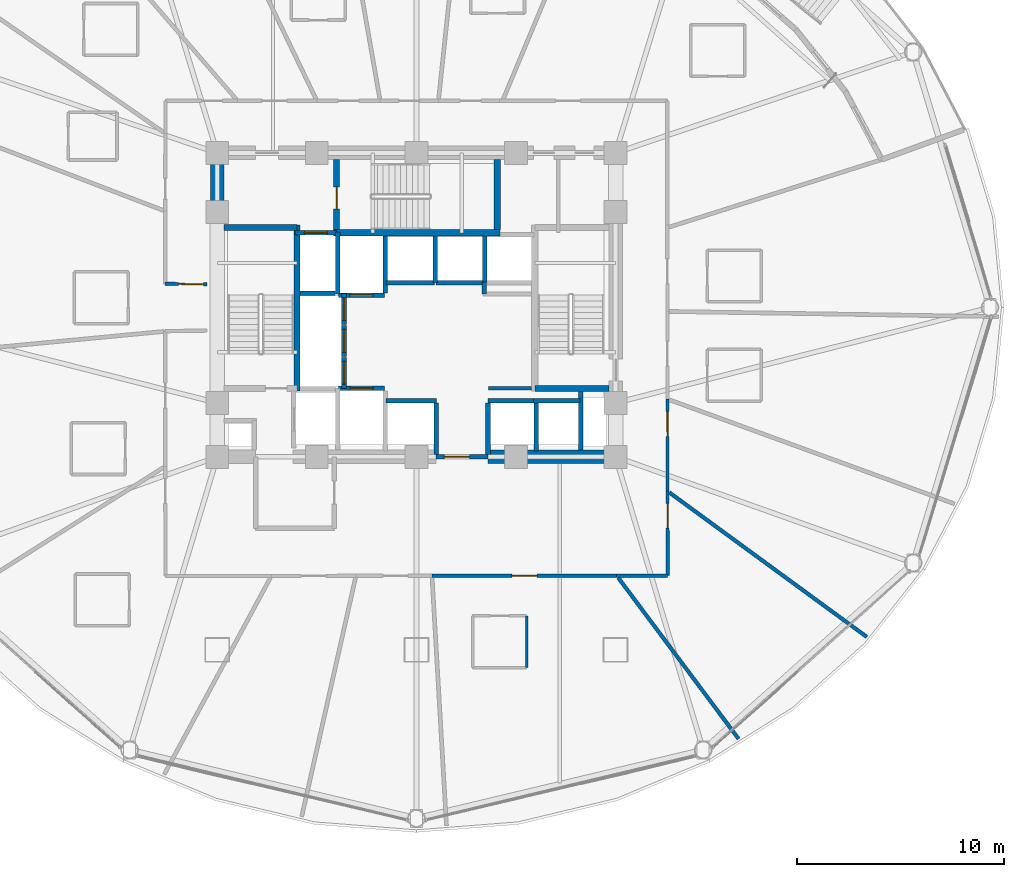
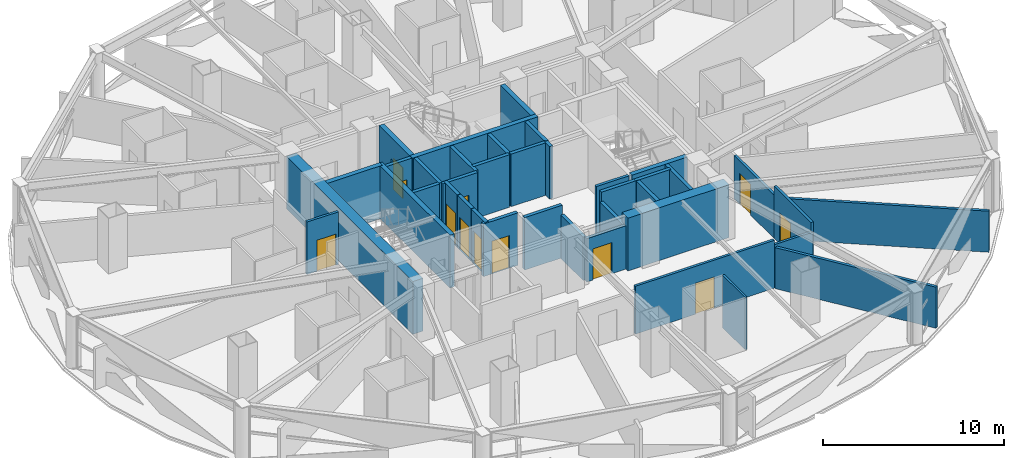
# One storey, part 25 of 33: 39 walls, 12 doors, 12 openings.
"""IFC4 building model written with IfcOpenShell, lengths in metres."""

from ifc_helpers import new_model, si_unit, direction, frame, frame_2d, origin, place, context, subcontext, project, spatial, rectangle, extrude, material, layer, layer_set, type_object, element, fill, save


model = new_model("IFC4")

# Units and contexts
model_context = context("Model", 3, precision=1e-05, world=origin(), true_north=direction((0.0, 1.0)))
body_context = subcontext(model_context, "Body", "Model", "MODEL_VIEW")
ifc_project = project(units=[si_unit("LENGTHUNIT", "METRE"), si_unit("AREAUNIT", "SQUARE_METRE"), si_unit("VOLUMEUNIT", "CUBIC_METRE"), si_unit("PLANEANGLEUNIT", "RADIAN"), si_unit("MASSUNIT", "GRAM", prefix="KILO")], contexts=[model_context])

# Site, building, storey
site_placement = place(None, origin())
site = spatial("IfcSite", under=ifc_project, at=site_placement, CompositionType="ELEMENT")
building_placement = place(site_placement, origin())
building = spatial("IfcBuilding", under=site, at=building_placement, Name="Vantalir Tower", CompositionType="ELEMENT")
storey_placement = place(building_placement, frame((0.0, 0.0, 68.25)))
storey = spatial("IfcBuildingStorey", under=building, at=storey_placement, Name="L16", CompositionType="ELEMENT", Elevation=68.25)

# Walls
ifc_material_1 = material(Name="Moisture-resistant en-suite partition", Category="gypsum")
ifc_layer_1 = layer(ifc_material_1, 0.125)
ifc_layer_set_1 = layer_set([ifc_layer_1], Name="Moisture-resistant en-suite partition")
wall_type_1 = type_object("IfcWallType", Name="WL-BATH-125", PredefinedType="PARTITIONING", material=ifc_layer_set_1)
wall_1_placement = place(storey_placement, frame((36.81591796875, 7.635009765625, 0.0), z_axis=(0.0, 0.0, 1.0), x_axis=(0.0, 1.0, 0.0)))
element("IfcWall", 1, at=wall_1_placement, inside=storey, type_object=wall_type_1, Name="L16 En-suite 13 East Wall", PredefinedType="PARTITIONING", context=body_context, shape_type="SweptSolid", body=[
    extrude(rectangle(XDim=2.5, YDim=0.125, at=frame_2d((1.25, 0.0))), origin(), (0.0, 0.0, 1.0), 3.550048828125),
])
ifc_material_2 = material(Name="Concrete C60/75", Category="concrete")
ifc_layer_2 = layer(ifc_material_2, 0.64990234375)
ifc_layer_set_2 = layer_set([ifc_layer_2], Name="Concrete C60/75")
wall_type_2 = type_object("IfcWallType", Name="WL-CORE-650", PredefinedType="SHEAR", material=ifc_layer_set_2)
wall_2_placement = place(storey_placement, frame((34.949951171875, 17.800048828125, 0.0), z_axis=(0.0, 0.0, 1.0), x_axis=(1.0, 0.0, 0.0)))
element("IfcWall", 2, at=wall_2_placement, inside=storey, type_object=wall_type_2, Name="L16 Core Shear Wall South-East", PredefinedType="SHEAR", context=body_context, shape_type="SweptSolid", body=[
    extrude(rectangle(XDim=6.47509765625, YDim=0.64990234375, at=frame_2d((3.237548828125, 0.0))), origin(), (0.0, 0.0, 1.0), 3.570068359375),
])
wall_3_placement = place(storey_placement, frame((21.89990234375, 18.125, 0.0), z_axis=(0.0, 0.0, 1.0), x_axis=(0.0, 1.0, 0.0)))
element("IfcWall", 3, at=wall_3_placement, inside=storey, type_object=wall_type_2, Name="L16 Core Shear Wall West", PredefinedType="SHEAR", context=body_context, shape_type="SweptSolid", body=[
    extrude(rectangle(XDim=14.0, YDim=0.64990234375, at=frame_2d((7.0, 0.0))), origin(), (0.0, 0.0, 1.0), 3.570068359375),
])

# Wall, opening, door
ifc_material_3 = material(Name="Fire-rated hotel corridor acoustic partition", Category="gypsum")
ifc_layer_3 = layer(ifc_material_3, 0.159912109375)
ifc_layer_set_3 = layer_set([ifc_layer_3], Name="Fire-rated hotel corridor acoustic partition")
wall_type_3 = type_object("IfcWallType", Name="WL-CORR-160", PredefinedType="PARTITIONING", material=ifc_layer_set_3)
wall_4_placement = place(storey_placement, frame((21.39501953125, 26.117919921875, 0.0), z_axis=(0.0, 0.0, 1.0), x_axis=(-0.999927639905, 0.012029752868, 0.0)))
wall_4 = element("IfcWall", 4, at=wall_4_placement, inside=storey, type_object=wall_type_3, Name="L16 Corridor Partition 01", PredefinedType="PARTITIONING", context=body_context, shape_type="SweptSolid", body=[
    extrude(rectangle(XDim=2.00927734375, YDim=0.159912109375, at=frame_2d((1.004638671875, 0.0))), origin(), (0.0, 0.0, 1.0), 3.550048828125),
])
opening_1_placement = place(wall_4_placement, frame((0.159912109375, 0.0, 0.0)))
opening_1 = element("IfcOpeningElement", 5, at=opening_1_placement, cuts=wall_4, Name="Opening D-STE", PredefinedType="OPENING", context=body_context, shape_type="SweptSolid", body=[
    extrude(rectangle(XDim=1.199951171875, YDim=2.10009765625, at=frame_2d((0.60009765625, 1.050048828125))), frame((0.0, 0.08984375, 0.0), z_axis=(0.0, -1.0, 0.0), x_axis=(1.0, 0.0, 0.0)), (0.0, 0.0, 1.0), 0.179931640625),
])
ifc_material_4 = material(Name="Solid-core teak veneer suite entrance door", Category="wood")
door_type_1 = type_object("IfcDoorType", Name="DR-SUITE-ENTRY-1200", OperationType="NOTDEFINED", PredefinedType="DOOR", material=ifc_material_4)
door_1_placement = place(opening_1_placement, origin())
door_1 = element("IfcDoor", 6, at=door_1_placement, inside=storey, type_object=door_type_1, Name="L16 Executive Club Hotel Suite 08 Door", OperationType="SINGLE_SWING_LEFT", OverallHeight=2.10009765625, OverallWidth=1.199951171875, PredefinedType="DOOR", context=body_context, shape_type="SweptSolid", body=[
    extrude(rectangle(XDim=1.199951171875, YDim=2.10009765625, at=frame_2d((0.60009765625, 1.050048828125))), frame((0.0, 0.02490234375, 0.0), z_axis=(0.0, -1.0, 0.0), x_axis=(1.0, 0.0, 0.0)), (0.0, 0.0, 1.0), 0.050048828125),
])
fill(opening_1, door_1)

wall_5_placement = place(storey_placement, frame((43.60400390625, 20.5830078125, 0.0), z_axis=(0.0, 0.0, 1.0), x_axis=(0.000660138485, -0.999999782109, 0.0)))
wall_5 = element("IfcWall", 7, at=wall_5_placement, inside=storey, type_object=wall_type_3, Name="L16 Corridor Partition 14", PredefinedType="PARTITIONING", context=body_context, shape_type="SweptSolid", body=[
    extrude(rectangle(XDim=4.43798828125, YDim=0.159912109375, at=frame_2d((2.218994140625, 0.0))), origin(), (0.0, 0.0, 1.0), 2.927978515625),
])
opening_2_placement = place(wall_5_placement, frame((0.597900390625, 0.0, 0.0)))
opening_2 = element("IfcOpeningElement", 8, at=opening_2_placement, cuts=wall_5, Name="Opening D-STE", PredefinedType="OPENING", context=body_context, shape_type="SweptSolid", body=[
    extrude(rectangle(XDim=1.199951171875, YDim=2.10009765625, at=frame_2d((0.60009765625, 1.050048828125))), frame((0.0, 0.08984375, 0.0), z_axis=(0.0, -1.0, 0.0), x_axis=(1.0, 0.0, 0.0)), (0.0, 0.0, 1.0), 0.179931640625),
])
door_2_placement = place(opening_2_placement, origin())
door_2 = element("IfcDoor", 9, at=door_2_placement, inside=storey, type_object=door_type_1, Name="L16 Executive Sky Boardroom 15 Door", OperationType="SINGLE_SWING_RIGHT", OverallHeight=2.10009765625, OverallWidth=1.199951171875, PredefinedType="DOOR", context=body_context, shape_type="SweptSolid", body=[
    extrude(rectangle(XDim=1.199951171875, YDim=2.10009765625, at=frame_2d((0.60009765625, 1.050048828125))), frame((0.0, 0.02490234375, 0.0), z_axis=(0.0, -1.0, 0.0), x_axis=(1.0, 0.0, 0.0)), (0.0, 0.0, 1.0), 0.050048828125),
])
fill(opening_2, door_2)

wall_6_placement = place(storey_placement, frame((43.60693359375, 16.14501953125, 0.0), z_axis=(0.0, 0.0, 1.0), x_axis=(0.000779049323, -0.999999696541, 0.0)))
wall_6 = element("IfcWall", 10, at=wall_6_placement, inside=storey, type_object=wall_type_3, Name="L16 Corridor Partition 15", PredefinedType="PARTITIONING", context=body_context, shape_type="SweptSolid", body=[
    extrude(rectangle(XDim=4.073974609375, YDim=0.159912109375, at=frame_2d((2.037109375, 0.0))), origin(), (0.0, 0.0, 1.0), 3.550048828125),
])
opening_3_placement = place(wall_6_placement, frame((0.5859375, 0.0, 0.0)))
opening_3 = element("IfcOpeningElement", 11, at=opening_3_placement, cuts=wall_6, Name="Opening D-STE", PredefinedType="OPENING", context=body_context, shape_type="SweptSolid", body=[
    extrude(rectangle(XDim=1.199951171875, YDim=2.10009765625, at=frame_2d((0.60009765625, 1.050048828125))), frame((0.0, 0.08984375, 0.0), z_axis=(0.0, -1.0, 0.0), x_axis=(1.0, 0.0, 0.0)), (0.0, 0.0, 1.0), 0.179931640625),
])
door_3_placement = place(opening_3_placement, origin())
door_3 = element("IfcDoor", 12, at=door_3_placement, inside=storey, type_object=door_type_1, Name="L16 Club Reading Lounge 14 Door", OperationType="SINGLE_SWING_LEFT", OverallHeight=2.10009765625, OverallWidth=1.199951171875, PredefinedType="DOOR", context=body_context, shape_type="SweptSolid", body=[
    extrude(rectangle(XDim=1.199951171875, YDim=2.10009765625, at=frame_2d((0.60009765625, 1.050048828125))), frame((0.0, 0.02490234375, 0.0), z_axis=(0.0, -1.0, 0.0), x_axis=(1.0, 0.0, 0.0)), (0.0, 0.0, 1.0), 0.050048828125),
])
fill(opening_3, door_3)

# Wall
wall_7_placement = place(storey_placement, frame((43.610107421875, 12.071044921875, 0.0), z_axis=(0.0, 0.0, 1.0), x_axis=(-0.99999968305, -0.000796178092, 0.0)))
element("IfcWall", 13, at=wall_7_placement, inside=storey, type_object=wall_type_3, Name="L16 Corridor Partition 16", PredefinedType="PARTITIONING", context=body_context, shape_type="SweptSolid", body=[
    extrude(rectangle(XDim=2.453125, YDim=0.159912109375, at=frame_2d((1.2265625, 0.0))), origin(), (0.0, 0.0, 1.0), 2.927978515625),
])

# Wall, opening, door
wall_8_placement = place(storey_placement, frame((41.156982421875, 12.069091796875, 0.0), z_axis=(0.0, 0.0, 1.0), x_axis=(-0.999999765164, -0.000685325643, 0.0)))
wall_8 = element("IfcWall", 14, at=wall_8_placement, inside=storey, type_object=wall_type_3, Name="L16 Corridor Partition 17", PredefinedType="PARTITIONING", context=body_context, shape_type="SweptSolid", body=[
    extrude(rectangle(XDim=8.906005859375, YDim=0.159912109375, at=frame_2d((4.453125, 0.0))), origin(), (0.0, 0.0, 1.0), 3.238037109375),
])
opening_4_placement = place(wall_8_placement, frame((3.85302734375, 0.0, 0.0)))
opening_4 = element("IfcOpeningElement", 15, at=opening_4_placement, cuts=wall_8, Name="Opening D-STE", PredefinedType="OPENING", context=body_context, shape_type="SweptSolid", body=[
    extrude(rectangle(XDim=1.199951171875, YDim=2.10009765625, at=frame_2d((0.60009765625, 1.050048828125))), frame((0.0, 0.08984375, 0.0), z_axis=(0.0, -1.0, 0.0), x_axis=(1.0, 0.0, 0.0)), (0.0, 0.0, 1.0), 0.179931640625),
])
door_4_placement = place(opening_4_placement, origin())
door_4 = element("IfcDoor", 16, at=door_4_placement, inside=storey, type_object=door_type_1, Name="L16 Executive Club Hotel Suite 13 Door", OperationType="SINGLE_SWING_RIGHT", OverallHeight=2.10009765625, OverallWidth=1.199951171875, PredefinedType="DOOR", context=body_context, shape_type="SweptSolid", body=[
    extrude(rectangle(XDim=1.199951171875, YDim=2.10009765625, at=frame_2d((0.60009765625, 1.050048828125))), frame((0.0, 0.02490234375, 0.0), z_axis=(0.0, -1.0, 0.0), x_axis=(1.0, 0.0, 0.0)), (0.0, 0.0, 1.0), 0.050048828125),
])
fill(opening_4, door_4)

# Walls
ifc_material_5 = material(Name="Concrete blockwork with fireboard lining", Category="masonry")
ifc_layer_4 = layer(ifc_material_5, 0.219970703125)
ifc_layer_set_4 = layer_set([ifc_layer_4], Name="Concrete blockwork with fireboard lining")
wall_type_4 = type_object("IfcWallType", Name="WL-FFL-220", PredefinedType="PARTITIONING", material=ifc_layer_set_4)
for number, where, z_axis, x_axis, name in (
    (17, (32.449951171875, 17.919921875, 0.0), (0.0, 0.0, 1.0), (0.0, 1.0, 0.0), "L16 Shuttle Lift PL-X1 East Shaft Cheek"),
    (18, (34.949951171875, 17.919921875, 0.0), (0.0, 0.0, 1.0), (0.0, 1.0, 0.0), "L16 Shuttle Lift PL-X3 West Shaft Cheek"),
):
    element("IfcWall", number, at=place(storey_placement, frame(where, z_axis=z_axis, x_axis=x_axis)), inside=storey, type_object=wall_type_4, Name=name, PredefinedType="PARTITIONING", context=body_context, shape_type="SweptSolid", body=[
        extrude(rectangle(XDim=2.469970703125, YDim=0.219970703125, at=frame_2d((1.23486328125, 0.0))), origin(), (0.0, 0.0, 1.0), 2.927978515625),
    ])
wall_9_placement = place(storey_placement, frame((37.27490234375, 18.080078125, 0.0), z_axis=(0.0, 0.0, 1.0), x_axis=(0.0, 1.0, 0.0)))
element("IfcWall", 19, at=wall_9_placement, inside=storey, type_object=wall_type_4, Name="L16 Shuttle Lift PL-X2/X3 Shaft Divider", PredefinedType="PARTITIONING", context=body_context, shape_type="SweptSolid", body=[
    extrude(rectangle(XDim=2.309814453125, YDim=0.219970703125, at=frame_2d((1.15478515625, 0.0))), origin(), (0.0, 0.0, 1.0), 3.544921875),
])
wall_10_placement = place(storey_placement, frame((30.0, 25.7099609375, 0.0), z_axis=(0.0, 0.0, 1.0), x_axis=(0.0, 1.0, 0.0)))
element("IfcWall", 20, at=wall_10_placement, inside=storey, type_object=wall_type_4, Name="L16 Service Lift SV2 East Shaft Wall", PredefinedType="PARTITIONING", context=body_context, shape_type="SweptSolid", body=[
    extrude(rectangle(XDim=2.72998046875, YDim=0.219970703125, at=frame_2d((1.364990234375, 0.0))), origin(), (0.0, 0.0, 1.0), 3.544921875),
])
wall_11_placement = place(storey_placement, frame((32.39990234375, 26.199951171875, 0.0), z_axis=(0.0, 0.0, 1.0), x_axis=(0.0, 1.0, 0.0)))
element("IfcWall", 21, at=wall_11_placement, inside=storey, type_object=wall_type_4, Name="L16 High-Rise Lift PL-H1/H2 Shaft Divider", PredefinedType="PARTITIONING", context=body_context, shape_type="SweptSolid", body=[
    extrude(rectangle(XDim=2.239990234375, YDim=0.219970703125, at=frame_2d((1.1201171875, 0.0))), origin(), (0.0, 0.0, 1.0), 3.544921875),
])
wall_12_placement = place(storey_placement, frame((34.800048828125, 26.22998046875, 0.0), z_axis=(0.0, 0.0, 1.0), x_axis=(0.0, 1.0, 0.0)))
element("IfcWall", 22, at=wall_12_placement, inside=storey, type_object=wall_type_4, Name="L16 High-Rise Lift PL-H2/H3 Shaft Divider", PredefinedType="PARTITIONING", context=body_context, shape_type="SweptSolid", body=[
    extrude(rectangle(XDim=2.2099609375, YDim=0.219970703125, at=frame_2d((1.10498046875, 0.0))), origin(), (0.0, 0.0, 1.0), 3.544921875),
])

# Wall, opening, door
wall_13_placement = place(storey_placement, frame((32.449951171875, 17.800048828125, 0.0), z_axis=(0.0, 0.0, 1.0), x_axis=(1.0, 0.0, 0.0)))
wall_13 = element("IfcWall", 23, at=wall_13_placement, inside=storey, type_object=wall_type_4, Name="L16 Passenger Lift Lobby South Wall", PredefinedType="PARTITIONING", context=body_context, shape_type="SweptSolid", body=[
    extrude(rectangle(XDim=2.5, YDim=0.219970703125, at=frame_2d((1.25, 0.0))), origin(), (0.0, 0.0, 1.0), 2.927978515625),
])
opening_5_placement = place(wall_13_placement, frame((0.39990234375, 0.0, 0.0)))
opening_5 = element("IfcOpeningElement", 24, at=opening_5_placement, cuts=wall_13, Name="Opening D-STE", PredefinedType="OPENING", context=body_context, shape_type="SweptSolid", body=[
    extrude(rectangle(XDim=1.199951171875, YDim=2.10009765625, at=frame_2d((0.60009765625, 1.050048828125))), frame((0.0, 0.119873046875, 0.0), z_axis=(0.0, -1.0, 0.0), x_axis=(1.0, 0.0, 0.0)), (0.0, 0.0, 1.0), 0.239990234375),
])
door_5_placement = place(opening_5_placement, origin())
door_5 = element("IfcDoor", 25, at=door_5_placement, inside=storey, type_object=door_type_1, Name="L16 Passenger Lift Lobby Concourse Door", OperationType="SINGLE_SWING_LEFT", OverallHeight=2.10009765625, OverallWidth=1.199951171875, PredefinedType="DOOR", context=body_context, shape_type="SweptSolid", body=[
    extrude(rectangle(XDim=1.199951171875, YDim=2.10009765625, at=frame_2d((0.60009765625, 1.050048828125))), frame((0.0, 0.02490234375, 0.0), z_axis=(0.0, -1.0, 0.0), x_axis=(1.0, 0.0, 0.0)), (0.0, 0.0, 1.0), 0.050048828125),
])
fill(opening_5, door_5)

# Wall
wall_14_placement = place(storey_placement, frame((39.419921875, 18.125, 0.0), z_axis=(0.0, 0.0, 1.0), x_axis=(0.0, 1.0, 0.0)))
element("IfcWall", 26, at=wall_14_placement, inside=storey, type_object=wall_type_4, Name="L16 East MEP Riser Wall W", PredefinedType="PARTITIONING", context=body_context, shape_type="SweptSolid", body=[
    extrude(rectangle(XDim=2.824951171875, YDim=0.219970703125, at=frame_2d((1.41259765625, 0.0))), origin(), (0.0, 0.0, 1.0), 3.550048828125),
])

# Wall, opening, door
wall_15_placement = place(storey_placement, frame((25.639892578125, 28.610107421875, 0.0), z_axis=(0.0, 0.0, 1.0), x_axis=(1.0, 0.0, 0.0)))
wall_15 = element("IfcWall", 27, at=wall_15_placement, inside=storey, type_object=wall_type_4, Name="L16 Lift FL2 Shaft Front Wall", PredefinedType="PARTITIONING", context=body_context, shape_type="SweptSolid", body=[
    extrude(rectangle(XDim=2.02001953125, YDim=0.219970703125, at=frame_2d((1.010009765625, 0.0))), origin(), (0.0, 0.0, 1.0), 3.550048828125),
])
opening_6_placement = place(wall_15_placement, frame((0.4599609375, 0.0, 0.0)))
opening_6 = element("IfcOpeningElement", 28, at=opening_6_placement, cuts=wall_15, Name="Opening LD-FL2", PredefinedType="OPENING", context=body_context, shape_type="SweptSolid", body=[
    extrude(rectangle(XDim=1.10009765625, YDim=2.199951171875, at=frame_2d((0.550048828125, 1.10009765625))), frame((0.0, 0.119873046875, 0.0), z_axis=(0.0, -1.0, 0.0), x_axis=(1.0, 0.0, 0.0)), (0.0, 0.0, 1.0), 0.239990234375),
])
ifc_material_6 = material(Name="Brushed stainless-steel sliding lift landing door", Category="steel")
door_type_2 = type_object("IfcDoorType", Name="DR-LIFT-LANDING-1100", OperationType="DOUBLE_DOOR_SLIDING", PredefinedType="DOOR", material=ifc_material_6)
door_6_placement = place(opening_6_placement, origin())
door_6 = element("IfcDoor", 29, at=door_6_placement, inside=storey, type_object=door_type_2, Name="L16 Lift Landing Door FL2", OperationType="DOUBLE_DOOR_SLIDING", OverallHeight=2.199951171875, OverallWidth=1.10009765625, PredefinedType="DOOR", context=body_context, shape_type="SweptSolid", body=[
    extrude(rectangle(XDim=1.10009765625, YDim=2.199951171875, at=frame_2d((0.550048828125, 1.10009765625))), frame((0.0, 0.02490234375, 0.0), z_axis=(0.0, -1.0, 0.0), x_axis=(1.0, 0.0, 0.0)), (0.0, 0.0, 1.0), 0.050048828125),
])
fill(opening_6, door_6)

wall_16_placement = place(storey_placement, frame((27.739990234375, 21.110107421875, 0.0), z_axis=(0.0, 0.0, 1.0), x_axis=(1.0, 0.0, 0.0)))
wall_16 = element("IfcWall", 30, at=wall_16_placement, inside=storey, type_object=wall_type_4, Name="L16 Lift SV1 Shaft Front Wall", PredefinedType="PARTITIONING", context=body_context, shape_type="SweptSolid", body=[
    extrude(rectangle(XDim=2.219970703125, YDim=0.219970703125, at=frame_2d((1.10986328125, 0.0))), origin(), (0.0, 0.0, 1.0), 3.550048828125),
])
opening_7_placement = place(wall_16_placement, frame((0.56005859375, 0.0, 0.0)))
opening_7 = element("IfcOpeningElement", 31, at=opening_7_placement, cuts=wall_16, Name="Opening LD-SV1", PredefinedType="OPENING", context=body_context, shape_type="SweptSolid", body=[
    extrude(rectangle(XDim=1.10009765625, YDim=2.199951171875, at=frame_2d((0.550048828125, 1.10009765625))), frame((0.0, 0.119873046875, 0.0), z_axis=(0.0, -1.0, 0.0), x_axis=(1.0, 0.0, 0.0)), (0.0, 0.0, 1.0), 0.239990234375),
])
door_7_placement = place(opening_7_placement, origin())
door_7 = element("IfcDoor", 32, at=door_7_placement, inside=storey, type_object=door_type_2, Name="L16 Lift Landing Door SV1", OperationType="DOUBLE_DOOR_SLIDING", OverallHeight=2.199951171875, OverallWidth=1.10009765625, PredefinedType="DOOR", context=body_context, shape_type="SweptSolid", body=[
    extrude(rectangle(XDim=1.10009765625, YDim=2.199951171875, at=frame_2d((0.550048828125, 1.10009765625))), frame((0.0, 0.02490234375, 0.0), z_axis=(0.0, -1.0, 0.0), x_axis=(1.0, 0.0, 0.0)), (0.0, 0.0, 1.0), 0.050048828125),
])
fill(opening_7, door_7)

wall_17_placement = place(storey_placement, frame((27.739990234375, 25.590087890625, 0.0), z_axis=(0.0, 0.0, 1.0), x_axis=(1.0, 0.0, 0.0)))
wall_17 = element("IfcWall", 33, at=wall_17_placement, inside=storey, type_object=wall_type_4, Name="L16 Lift SV2 Shaft Front Wall", PredefinedType="PARTITIONING", context=body_context, shape_type="SweptSolid", body=[
    extrude(rectangle(XDim=2.219970703125, YDim=0.219970703125, at=frame_2d((1.10986328125, 0.0))), origin(), (0.0, 0.0, 1.0), 3.550048828125),
])
opening_8_placement = place(wall_17_placement, frame((0.56005859375, 0.0, 0.0)))
opening_8 = element("IfcOpeningElement", 34, at=opening_8_placement, cuts=wall_17, Name="Opening LD-SV2", PredefinedType="OPENING", context=body_context, shape_type="SweptSolid", body=[
    extrude(rectangle(XDim=1.10009765625, YDim=2.199951171875, at=frame_2d((0.550048828125, 1.10009765625))), frame((0.0, 0.119873046875, 0.0), z_axis=(0.0, -1.0, 0.0), x_axis=(1.0, 0.0, 0.0)), (0.0, 0.0, 1.0), 0.239990234375),
])
door_8_placement = place(opening_8_placement, frame((1.10009765625, 0.0, 0.0), z_axis=(0.0, 0.0, 1.0), x_axis=(-1.0, 0.0, 0.0)))
door_8 = element("IfcDoor", 35, at=door_8_placement, inside=storey, type_object=door_type_2, Name="L16 Lift Landing Door SV2", OperationType="DOUBLE_DOOR_SLIDING", OverallHeight=2.199951171875, OverallWidth=1.10009765625, PredefinedType="DOOR", context=body_context, shape_type="SweptSolid", body=[
    extrude(rectangle(XDim=1.10009765625, YDim=2.199951171875, at=frame_2d((0.550048828125, 1.10009765625))), frame((0.0, 0.02490234375, 0.0), z_axis=(0.0, -1.0, 0.0), x_axis=(1.0, 0.0, 0.0)), (0.0, 0.0, 1.0), 0.050048828125),
])
fill(opening_8, door_8)

# Walls
wall_18_placement = place(storey_placement, frame((30.0400390625, 20.510009765625, 0.0), z_axis=(0.0, 0.0, 1.0), x_axis=(1.0, 0.0, 0.0)))
element("IfcWall", 36, at=wall_18_placement, inside=storey, type_object=wall_type_4, Name="L16 Lift PL-X1 Shaft Front Wall", PredefinedType="PARTITIONING", context=body_context, shape_type="SweptSolid", body=[
    extrude(rectangle(XDim=2.419921875, YDim=0.219970703125, at=frame_2d((1.2099609375, 0.0))), origin(), (0.0, 0.0, 1.0), 3.550048828125),
])
for number, where, z_axis, x_axis, name in (
    (37, (37.139892578125, 20.510009765625, 0.0), (0.0, 0.0, 1.0), (1.0, 0.0, 0.0), "L16 Lift PL-X2 Shaft Rear Wall"),
    (38, (34.93994140625, 20.510009765625, 0.0), (0.0, 0.0, 1.0), (1.0, 0.0, 0.0), "L16 Lift PL-X3 Shaft Front Wall"),
):
    element("IfcWall", number, at=place(storey_placement, frame(where, z_axis=z_axis, x_axis=x_axis)), inside=storey, type_object=wall_type_4, Name=name, PredefinedType="PARTITIONING", context=body_context, shape_type="SweptSolid", body=[
        extrude(rectangle(XDim=2.239990234375, YDim=0.219970703125, at=frame_2d((1.1201171875, 0.0))), origin(), (0.0, 0.0, 1.0), 3.550048828125),
    ])
for number, where, z_axis, x_axis, name in (
    (39, (30.0400390625, 26.18994140625, 0.0), (0.0, 0.0, 1.0), (1.0, 0.0, 0.0), "L16 Lift PL-H1 Shaft Front Wall"),
    (40, (32.43994140625, 26.18994140625, 0.0), (0.0, 0.0, 1.0), (1.0, 0.0, 0.0), "L16 Lift PL-H2 Shaft Front Wall"),
):
    element("IfcWall", number, at=place(storey_placement, frame(where, z_axis=z_axis, x_axis=x_axis)), inside=storey, type_object=wall_type_4, Name=name, PredefinedType="PARTITIONING", context=body_context, shape_type="SweptSolid", body=[
        extrude(rectangle(XDim=2.320068359375, YDim=0.219970703125, at=frame_2d((1.16015625, 0.0))), origin(), (0.0, 0.0, 1.0), 3.550048828125),
    ])

# Wall, opening, door
wall_19_placement = place(storey_placement, frame((28.010009765625, 21.10009765625, 0.0), z_axis=(0.0, 0.0, 1.0), x_axis=(0.0, 1.0, 0.0)))
wall_19 = element("IfcWall", 41, at=wall_19_placement, inside=storey, type_object=wall_type_4, Name="L16 Lift PL-L1 Shaft Front Wall", PredefinedType="PARTITIONING", context=body_context, shape_type="SweptSolid", body=[
    extrude(rectangle(XDim=1.5, YDim=0.219970703125, at=frame_2d((0.75, 0.0))), origin(), (0.0, 0.0, 1.0), 3.550048828125),
])
opening_9_placement = place(wall_19_placement, frame((0.199951171875, 0.0, 0.0)))
opening_9 = element("IfcOpeningElement", 42, at=opening_9_placement, cuts=wall_19, Name="Opening LD-PL-L1", PredefinedType="OPENING", context=body_context, shape_type="SweptSolid", body=[
    extrude(rectangle(XDim=1.10009765625, YDim=2.199951171875, at=frame_2d((0.550048828125, 1.10009765625))), frame((0.0, 0.119873046875, 0.0), z_axis=(0.0, -1.0, 0.0), x_axis=(1.0, 0.0, 0.0)), (0.0, 0.0, 1.0), 0.239990234375),
])
door_9_placement = place(opening_9_placement, frame((1.10009765625, 0.0, 0.0), z_axis=(0.0, 0.0, 1.0), x_axis=(-1.0, 0.0, 0.0)))
door_9 = element("IfcDoor", 43, at=door_9_placement, inside=storey, type_object=door_type_2, Name="L16 Lift Landing Door PL-L1", OperationType="DOUBLE_DOOR_SLIDING", OverallHeight=2.199951171875, OverallWidth=1.10009765625, PredefinedType="DOOR", context=body_context, shape_type="SweptSolid", body=[
    extrude(rectangle(XDim=1.10009765625, YDim=2.199951171875, at=frame_2d((0.550048828125, 1.10009765625))), frame((0.0, 0.02490234375, 0.0), z_axis=(0.0, -1.0, 0.0), x_axis=(1.0, 0.0, 0.0)), (0.0, 0.0, 1.0), 0.050048828125),
])
fill(opening_9, door_9)

wall_20_placement = place(storey_placement, frame((28.010009765625, 22.639892578125, 0.0), z_axis=(0.0, 0.0, 1.0), x_axis=(0.0, 1.0, 0.0)))
wall_20 = element("IfcWall", 44, at=wall_20_placement, inside=storey, type_object=wall_type_4, Name="L16 Lift PL-L2 Shaft Front Wall", PredefinedType="PARTITIONING", context=body_context, shape_type="SweptSolid", body=[
    extrude(rectangle(XDim=1.5, YDim=0.219970703125, at=frame_2d((0.75, 0.0))), origin(), (0.0, 0.0, 1.0), 3.550048828125),
])
opening_10_placement = place(wall_20_placement, frame((0.199951171875, 0.0, 0.0)))
opening_10 = element("IfcOpeningElement", 45, at=opening_10_placement, cuts=wall_20, Name="Opening LD-PL-L2", PredefinedType="OPENING", context=body_context, shape_type="SweptSolid", body=[
    extrude(rectangle(XDim=1.10009765625, YDim=2.199951171875, at=frame_2d((0.550048828125, 1.10009765625))), frame((0.0, 0.119873046875, 0.0), z_axis=(0.0, -1.0, 0.0), x_axis=(1.0, 0.0, 0.0)), (0.0, 0.0, 1.0), 0.239990234375),
])
door_10_placement = place(opening_10_placement, frame((1.10009765625, 0.0, 0.0), z_axis=(0.0, 0.0, 1.0), x_axis=(-1.0, 0.0, 0.0)))
door_10 = element("IfcDoor", 46, at=door_10_placement, inside=storey, type_object=door_type_2, Name="L16 Lift Landing Door PL-L2", OperationType="DOUBLE_DOOR_SLIDING", OverallHeight=2.199951171875, OverallWidth=1.10009765625, PredefinedType="DOOR", context=body_context, shape_type="SweptSolid", body=[
    extrude(rectangle(XDim=1.10009765625, YDim=2.199951171875, at=frame_2d((0.550048828125, 1.10009765625))), frame((0.0, 0.02490234375, 0.0), z_axis=(0.0, -1.0, 0.0), x_axis=(1.0, 0.0, 0.0)), (0.0, 0.0, 1.0), 0.050048828125),
])
fill(opening_10, door_10)

wall_21_placement = place(storey_placement, frame((28.010009765625, 24.179931640625, 0.0), z_axis=(0.0, 0.0, 1.0), x_axis=(0.0, 1.0, 0.0)))
wall_21 = element("IfcWall", 47, at=wall_21_placement, inside=storey, type_object=wall_type_4, Name="L16 Lift PL-L3 Shaft Front Wall", PredefinedType="PARTITIONING", context=body_context, shape_type="SweptSolid", body=[
    extrude(rectangle(XDim=1.5, YDim=0.219970703125, at=frame_2d((0.75, 0.0))), origin(), (0.0, 0.0, 1.0), 3.550048828125),
])
opening_11_placement = place(wall_21_placement, frame((0.199951171875, 0.0, 0.0)))
opening_11 = element("IfcOpeningElement", 48, at=opening_11_placement, cuts=wall_21, Name="Opening LD-PL-L3", PredefinedType="OPENING", context=body_context, shape_type="SweptSolid", body=[
    extrude(rectangle(XDim=1.10009765625, YDim=2.199951171875, at=frame_2d((0.550048828125, 1.10009765625))), frame((0.0, 0.119873046875, 0.0), z_axis=(0.0, -1.0, 0.0), x_axis=(1.0, 0.0, 0.0)), (0.0, 0.0, 1.0), 0.239990234375),
])
door_11_placement = place(opening_11_placement, frame((1.10009765625, 0.0, 0.0), z_axis=(0.0, 0.0, 1.0), x_axis=(-1.0, 0.0, 0.0)))
door_11 = element("IfcDoor", 49, at=door_11_placement, inside=storey, type_object=door_type_2, Name="L16 Lift Landing Door PL-L3", OperationType="DOUBLE_DOOR_SLIDING", OverallHeight=2.199951171875, OverallWidth=1.10009765625, PredefinedType="DOOR", context=body_context, shape_type="SweptSolid", body=[
    extrude(rectangle(XDim=1.10009765625, YDim=2.199951171875, at=frame_2d((0.550048828125, 1.10009765625))), frame((0.0, 0.02490234375, 0.0), z_axis=(0.0, -1.0, 0.0), x_axis=(1.0, 0.0, 0.0)), (0.0, 0.0, 1.0), 0.050048828125),
])
fill(opening_11, door_11)

# Walls
wall_22_placement = place(storey_placement, frame((27.699951171875, 25.64990234375, 0.0), z_axis=(0.0, 0.0, 1.0), x_axis=(0.0, 1.0, 0.0)))
element("IfcWall", 50, at=wall_22_placement, inside=storey, type_object=wall_type_4, Name="L16 Fire Lift FL2 Dividing Wall", PredefinedType="PARTITIONING", context=body_context, shape_type="SweptSolid", body=[
    extrude(rectangle(XDim=3.0, YDim=0.219970703125, at=frame_2d((1.5, 0.0))), origin(), (0.0, 0.0, 1.0), 3.550048828125),
])
wall_23_placement = place(storey_placement, frame((25.8798828125, 25.679931640625, 0.0), z_axis=(0.0, 0.0, 1.0), x_axis=(1.0, 0.0, 0.0)))
element("IfcWall", 51, at=wall_23_placement, inside=storey, type_object=wall_type_4, Name="L16 Low-Rise Bank North Wall", PredefinedType="PARTITIONING", context=body_context, shape_type="SweptSolid", body=[
    extrude(rectangle(XDim=1.7001953125, YDim=0.219970703125, at=frame_2d((0.85009765625, 0.0))), origin(), (0.0, 0.0, 1.0), 3.550048828125),
])
wall_24_placement = place(storey_placement, frame((34.760009765625, 25.64990234375, 0.0), z_axis=(0.0, 0.0, 1.0), x_axis=(0.0, 1.0, 0.0)))
element("IfcWall", 52, at=wall_24_placement, inside=storey, type_object=wall_type_4, Name="L16 High-Rise Shaft Shoulder Wall", PredefinedType="PARTITIONING", context=body_context, shape_type="SweptSolid", body=[
    extrude(rectangle(XDim=0.570068359375, YDim=0.219970703125, at=frame_2d((0.28515625, 0.0))), origin(), (0.0, 0.0, 1.0), 3.550048828125),
])
ifc_material_7 = material(Name="Twin-stud acoustic fire-rated gypsum partition", Category="gypsum")
ifc_layer_5 = layer(ifc_material_7, 0.179931640625)
ifc_layer_set_5 = layer_set([ifc_layer_5], Name="Twin-stud acoustic fire-rated gypsum partition")
wall_type_5 = type_object("IfcWallType", Name="WL-GUEST-180", PredefinedType="PARTITIONING", material=ifc_layer_set_5)
wall_25_placement = place(storey_placement, frame((34.97998046875, 21.10009765625, 0.0), z_axis=(0.0, 0.0, 1.0), x_axis=(1.0, 0.0, 0.0)))
element("IfcWall", 53, at=wall_25_placement, inside=storey, type_object=wall_type_5, Name="L16 Freed East Core South Wall", PredefinedType="PARTITIONING", context=body_context, shape_type="SweptSolid", body=[
    extrude(rectangle(XDim=2.080078125, YDim=0.179931640625, at=frame_2d((1.0400390625, 0.0))), origin(), (0.0, 0.0, 1.0), 3.550048828125),
])
wall_26_placement = place(storey_placement, frame((41.22802734375, 11.97509765625, 0.0), z_axis=(0.0, 0.0, 1.0), x_axis=(0.598363161304, -0.80122501658, 0.0)))
element("IfcWall", 54, at=wall_26_placement, inside=storey, type_object=wall_type_5, Name="L16 Radial Suite Partition 14", PredefinedType="PARTITIONING", context=body_context, shape_type="SweptSolid", body=[
    extrude(rectangle(XDim=9.696533203125, YDim=0.179931640625, at=frame_2d((4.84814453125, 0.0))), origin(), (0.0, 0.0, 1.0), 2.77490234375),
])
wall_27_placement = place(storey_placement, frame((43.68994140625, 16.083984375, 0.0), z_axis=(0.0, 0.0, 1.0), x_axis=(0.807148405936, -0.590348584139, 0.0)))
element("IfcWall", 55, at=wall_27_placement, inside=storey, type_object=wall_type_5, Name="L16 Radial Suite Partition 15", PredefinedType="PARTITIONING", context=body_context, shape_type="SweptSolid", body=[
    extrude(rectangle(XDim=11.79833984375, YDim=0.179931640625, at=frame_2d((5.899169921875, 0.0))), origin(), (0.0, 0.0, 1.0), 2.77490234375),
])
ifc_material_8 = material(Name="Concrete C50/60", Category="concrete")
ifc_layer_6 = layer(ifc_material_8, 0.300048828125)
ifc_layer_set_6 = layer_set([ifc_layer_6], Name="Concrete C50/60")
wall_type_6 = type_object("IfcWallType", Name="WL-STAIR-300", PredefinedType="SHEAR", material=ifc_layer_set_6)
wall_28_placement = place(storey_placement, frame((22.22509765625, 28.85009765625, 0.0), z_axis=(0.0, 0.0, 1.0), x_axis=(1.0, 0.0, 0.0)))
element("IfcWall", 56, at=wall_28_placement, inside=storey, type_object=wall_type_6, Name="L16 Stair ST1 North Wall", PredefinedType="SHEAR", context=body_context, shape_type="SweptSolid", body=[
    extrude(rectangle(XDim=3.514892578125, YDim=0.300048828125, at=frame_2d((1.75732421875, 0.0))), origin(), (0.0, 0.0, 1.0), 3.570068359375),
])
wall_29_placement = place(storey_placement, frame((25.739990234375, 20.97998046875, 0.0), z_axis=(0.0, 0.0, 1.0), x_axis=(0.0, 1.0, 0.0)))
element("IfcWall", 57, at=wall_29_placement, inside=storey, type_object=wall_type_6, Name="L16 Stair ST1 East Wall", PredefinedType="SHEAR", context=body_context, shape_type="SweptSolid", body=[
    extrude(rectangle(XDim=7.989990234375, YDim=0.300048828125, at=frame_2d((3.9951171875, 0.0))), origin(), (0.0, 0.0, 1.0), 3.570068359375),
])
wall_30_placement = place(storey_placement, frame((37.2099609375, 21.10009765625, 0.0), z_axis=(0.0, 0.0, 1.0), x_axis=(1.0, 0.0, 0.0)))
element("IfcWall", 58, at=wall_30_placement, inside=storey, type_object=wall_type_6, Name="L16 Stair ST2 South Wall", PredefinedType="SHEAR", context=body_context, shape_type="SweptSolid", body=[
    extrude(rectangle(XDim=3.56494140625, YDim=0.300048828125, at=frame_2d((1.782470703125, 0.0))), origin(), (0.0, 0.0, 1.0), 3.570068359375),
])
wall_31_placement = place(storey_placement, frame((27.510009765625, 28.60009765625, 0.0), z_axis=(0.0, 0.0, 1.0), x_axis=(1.0, 0.0, 0.0)))
element("IfcWall", 59, at=wall_31_placement, inside=storey, type_object=wall_type_6, Name="L16 Stair ST3 South Wall", PredefinedType="SHEAR", context=body_context, shape_type="SweptSolid", body=[
    extrude(rectangle(XDim=8.030029296875, YDim=0.300048828125, at=frame_2d((4.01513671875, 0.0))), origin(), (0.0, 0.0, 1.0), 3.570068359375),
])

# Wall, opening, door
wall_32_placement = place(storey_placement, frame((27.64990234375, 28.75, 0.0), z_axis=(0.0, 0.0, 1.0), x_axis=(0.0, 1.0, 0.0)))
wall_32 = element("IfcWall", 60, at=wall_32_placement, inside=storey, type_object=wall_type_6, Name="L16 Stair ST3 West Wall", PredefinedType="SHEAR", context=body_context, shape_type="SweptSolid", body=[
    extrude(rectangle(XDim=3.375, YDim=0.300048828125, at=frame_2d((1.6875, 0.0))), origin(), (0.0, 0.0, 1.0), 3.570068359375),
])
opening_12_placement = place(wall_32_placement, frame((1.0, 0.0, 0.0)))
opening_12 = element("IfcOpeningElement", 61, at=opening_12_placement, cuts=wall_32, Name="Opening D-ST", PredefinedType="OPENING", context=body_context, shape_type="SweptSolid", body=[
    extrude(rectangle(XDim=1.050048828125, YDim=2.10009765625, at=frame_2d((0.52490234375, 1.050048828125))), frame((0.0, 0.159912109375, 0.0), z_axis=(0.0, -1.0, 0.0), x_axis=(1.0, 0.0, 0.0)), (0.0, 0.0, 1.0), 0.320068359375),
])
ifc_material_9 = material(Name="Fire-rated steel door leaf", Category="steel")
door_type_3 = type_object("IfcDoorType", Name="DR-FIRE-STAIR-1050", OperationType="NOTDEFINED", PredefinedType="DOOR", material=ifc_material_9)
door_12_placement = place(opening_12_placement, frame((1.050048828125, 0.0, 0.0), z_axis=(0.0, 0.0, 1.0), x_axis=(-1.0, 0.0, 0.0)))
door_12 = element("IfcDoor", 62, at=door_12_placement, inside=storey, type_object=door_type_3, Name="L16 Exit Stair ST3 Fire Door", OperationType="SINGLE_SWING_LEFT", OverallHeight=2.10009765625, OverallWidth=1.050048828125, PredefinedType="DOOR", context=body_context, shape_type="SweptSolid", body=[
    extrude(rectangle(XDim=1.050048828125, YDim=2.10009765625, at=frame_2d((0.52490234375, 1.050048828125))), frame((0.0, 0.02490234375, 0.0), z_axis=(0.0, -1.0, 0.0), x_axis=(1.0, 0.0, 0.0)), (0.0, 0.0, 1.0), 0.050048828125),
])
fill(opening_12, door_12)

# Wall
wall_33_placement = place(storey_placement, frame((35.39990234375, 28.75, 0.0), z_axis=(0.0, 0.0, 1.0), x_axis=(0.0, 1.0, 0.0)))
element("IfcWall", 63, at=wall_33_placement, inside=storey, type_object=wall_type_6, Name="L16 Stair ST3 East Wall", PredefinedType="SHEAR", context=body_context, shape_type="SweptSolid", body=[
    extrude(rectangle(XDim=3.375, YDim=0.300048828125, at=frame_2d((1.6875, 0.0))), origin(), (0.0, 0.0, 1.0), 3.570068359375),
])

save(model, "model.ifc")
